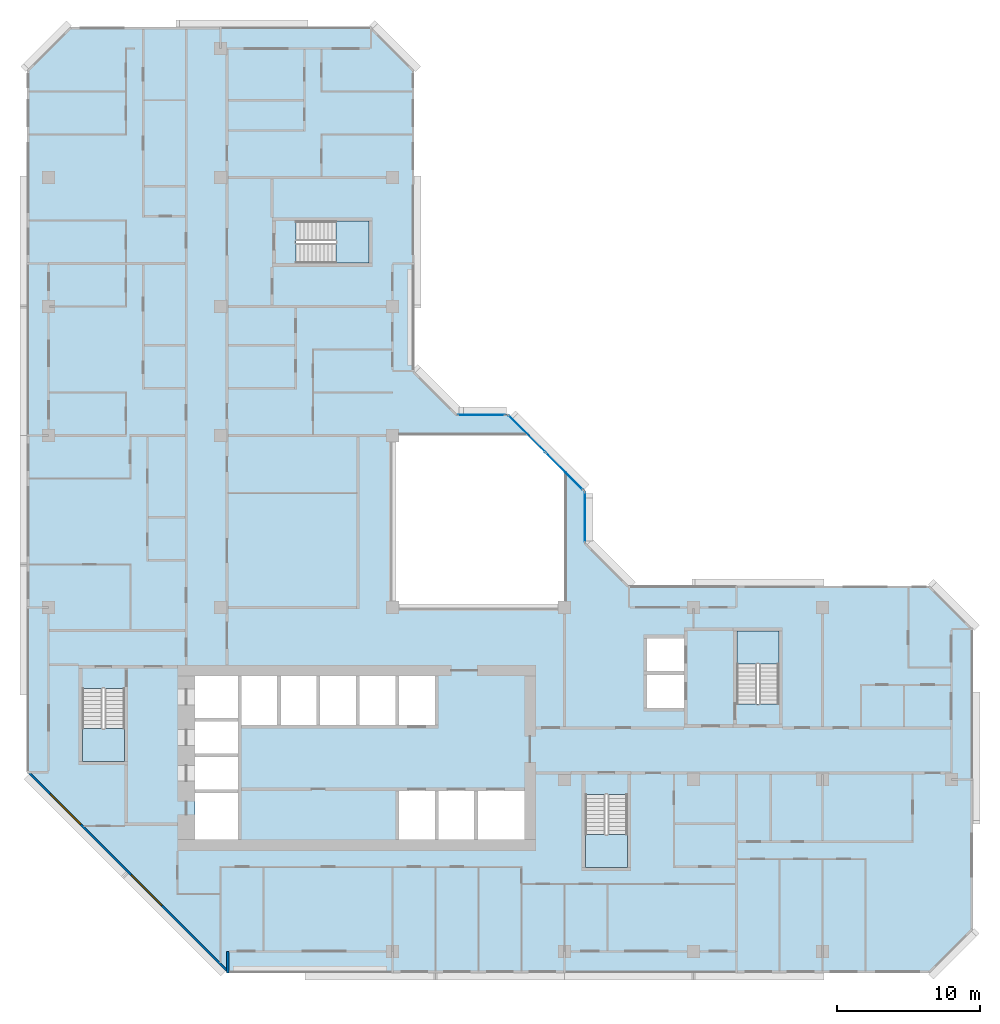
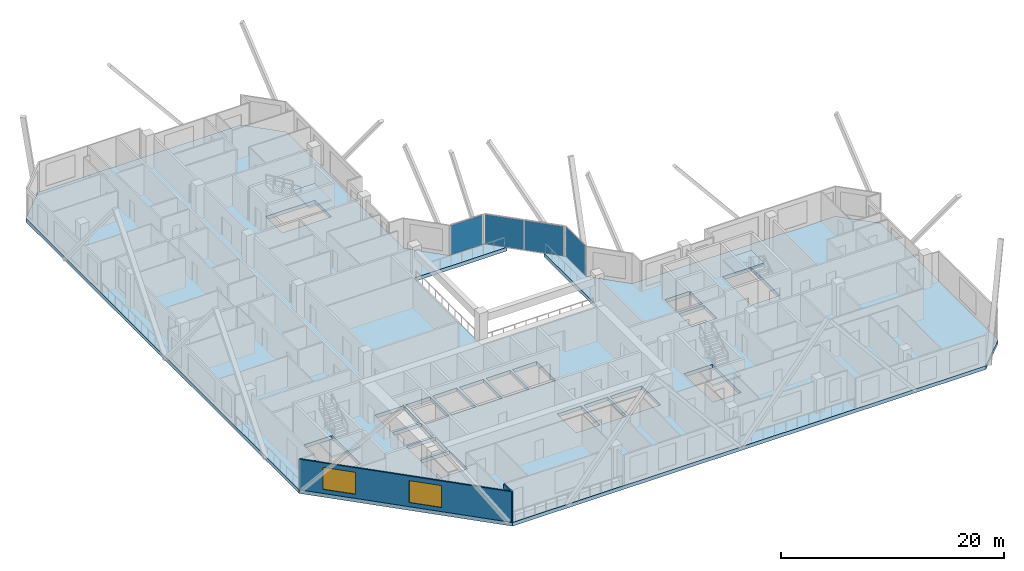
# One storey, part 3 of 15: 5 slabs, 4 plates, 2 walls, 2 windows, 2 openings, 7 elements without a shape of their own.
"""IFC4 building model written with IfcOpenShell, lengths in metres."""

import ifcopenshell
import ifcopenshell.guid

model = None  # the IFC model being written
_history = None  # IfcOwnerHistory: only IFC2X3 demands one
_inside = {}  # id of a spatial element -> (the spatial element, [elements in it])
_under = {}  # id of a project, library or spatial element -> (it, [spatial elements below it])
_declared = {}  # id of a project -> (the project, [libraries it declares])
_typed = {}  # id of a type object -> (the type object, [elements of that type])
_made_of = {}  # id of a material, layer set ... -> (it, [elements and type objects made of it])


def new_model(schema):
    """Start an empty IFC model of exactly this schema.

    Asked for "IFC4X3", IfcOpenShell would pick the latest addendum, in which some entities
    have other attributes; the version numbers below select the first issue.
    IFC2X3 requires an IfcOwnerHistory on every rooted entity: one is made here for all.
    """
    global model, _history
    if schema == "IFC4X3":
        model = ifcopenshell.file(schema_version=(4, 3, 0, 0))
    else:
        model = ifcopenshell.file(schema=schema)
    _inside.clear()
    _under.clear()
    _declared.clear()
    _typed.clear()
    _made_of.clear()
    _history = None
    if model.schema == "IFC2X3":
        org = make("IfcOrganization", Name="unknown")
        user = make(
            "IfcPersonAndOrganization",
            ThePerson=make("IfcPerson", FamilyName="unknown"),
            TheOrganization=org,
        )
        app = make(
            "IfcApplication",
            ApplicationDeveloper=org,
            Version="unknown",
            ApplicationFullName="unknown",
            ApplicationIdentifier="unknown",
        )
        _history = make(
            "IfcOwnerHistory",
            OwningUser=user,
            OwningApplication=app,
            ChangeAction="ADDED",
            CreationDate=0,
        )
    return model


def make(cls, **values):
    """One entity of the class cls with the attributes given. An attribute that is None is left unset."""
    return model.create_entity(
        cls, **{name: value for name, value in values.items() if value is not None}
    )


def rooted(cls, **values):
    """An entity with a GlobalId (a new one), such as an element, a storey or a relation."""
    return make(cls, GlobalId=ifcopenshell.guid.new(), OwnerHistory=_history, **values)


def si_unit(unit_type, name, prefix=None):
    """IfcSIUnit, for example si_unit("LENGTHUNIT", "METRE", prefix="MILLI")."""
    return make("IfcSIUnit", UnitType=unit_type, Prefix=prefix, Name=name)


def assignment(units):
    """IfcUnitAssignment: the units of a project."""
    return None if units is None else make("IfcUnitAssignment", Units=units)


def point(xyz):
    """IfcCartesianPoint."""
    return None if xyz is None else make("IfcCartesianPoint", Coordinates=xyz)


def direction(xyz):
    """IfcDirection."""
    return None if xyz is None else make("IfcDirection", DirectionRatios=xyz)


def frame(location, z_axis=None, x_axis=None):
    """IfcAxis2Placement3D, a coordinate frame: its origin and axes. An axis left out is left unset."""
    return make(
        "IfcAxis2Placement3D",
        Location=point(location),
        Axis=direction(z_axis),
        RefDirection=direction(x_axis),
    )


def frame_2d(location, x_axis=None):
    """IfcAxis2Placement2D, a coordinate frame in the plane: its origin and x axis."""
    return make(
        "IfcAxis2Placement2D", Location=point(location), RefDirection=direction(x_axis)
    )


def origin():
    """The frame at (0, 0, 0) with its axes left unset."""
    return frame((0.0, 0.0, 0.0))


def origin_2d():
    """The frame at (0, 0) in the plane with its x axis left unset."""
    return frame_2d((0.0, 0.0))


def place(relative_to, where):
    """IfcLocalPlacement: puts the frame where relative to a parent placement (None: the world)."""
    return make(
        "IfcLocalPlacement", PlacementRelTo=relative_to, RelativePlacement=where
    )


def context(
    kind, dimensions, precision=None, world=None, true_north=None, identifier=None
):
    """IfcGeometricRepresentationContext, for example the 3D "Model" context."""
    return make(
        "IfcGeometricRepresentationContext",
        ContextIdentifier=identifier,
        ContextType=kind,
        CoordinateSpaceDimension=dimensions,
        Precision=precision,
        WorldCoordinateSystem=world,
        TrueNorth=true_north,
    )


def subcontext(parent, identifier, kind, view, scale=None):
    """IfcGeometricRepresentationSubContext, for example "Body" below "Model"."""
    return make(
        "IfcGeometricRepresentationSubContext",
        ContextIdentifier=identifier,
        ContextType=kind,
        ParentContext=parent,
        TargetScale=scale,
        TargetView=view,
    )


def project(units=None, contexts=None):
    """IfcProject with its units and contexts."""
    return rooted(
        "IfcProject",
        Name="project",
        RepresentationContexts=contexts,
        UnitsInContext=assignment(units),
    )


def spatial(cls, under=None, at=None, **own):
    """A site, building, storey or space (cls), placed at a placement, below another one or the project."""
    s = rooted(cls, ObjectPlacement=at, **own)
    if under is not None:
        _under.setdefault(under.id(), (under, []))[1].append(s)
    return s


def polyline(points):
    """IfcPolyline through the points."""
    return make("IfcPolyline", Points=[point(p) for p in points])


def profile(cls, at=None, kind="AREA", **sizes):
    """A parametric profile (cls). Its sizes go by their IFC names, for example OverallWidth=200.0."""
    return make(cls, ProfileType=kind, Position=at, **sizes)


def rectangle(**sizes):
    """IfcRectangleProfileDef."""
    return profile("IfcRectangleProfileDef", **sizes)


def outline(outer, holes=None, kind="AREA"):
    """IfcArbitraryClosedProfileDef: a profile drawn as a closed curve; with holes, ...WithVoids."""
    if holes is None:
        return make("IfcArbitraryClosedProfileDef", ProfileType=kind, OuterCurve=outer)
    return make(
        "IfcArbitraryProfileDefWithVoids",
        ProfileType=kind,
        OuterCurve=outer,
        InnerCurves=holes,
    )


def extrude(swept, where, along, depth):
    """IfcExtrudedAreaSolid: the profile swept, set in the frame where, extruded along a direction by depth."""
    return make(
        "IfcExtrudedAreaSolid",
        SweptArea=swept,
        Position=where,
        ExtrudedDirection=direction(along),
        Depth=depth,
    )


def shape(context_of_items, identifier, shape_type, items):
    """IfcShapeRepresentation: the items that make up one representation, for example the "Body"."""
    return make(
        "IfcShapeRepresentation",
        ContextOfItems=context_of_items,
        RepresentationIdentifier=identifier,
        RepresentationType=shape_type,
        Items=items,
    )


def material(Name=None, Category=None):
    """IfcMaterial."""
    return make("IfcMaterial", Name=Name, Category=Category)


def layer(
    of_material, thickness, ventilated=None, Name=None, Category=None, Priority=None
):
    """IfcMaterialLayer: one layer of a wall or slab, of a material (None: an air gap)."""
    return make(
        "IfcMaterialLayer",
        Material=of_material,
        LayerThickness=thickness,
        IsVentilated=ventilated,
        Name=Name,
        Category=Category,
        Priority=Priority,
    )


def layer_set(layers, Name=None):
    """IfcMaterialLayerSet."""
    return make("IfcMaterialLayerSet", MaterialLayers=layers, LayerSetName=Name)


def made_of(thing, what):
    """Note that an element or type object is made of a material, layer set ...; save() writes the relation."""
    if what is not None:
        _made_of.setdefault(what.id(), (what, []))[1].append(thing)
    return thing


def type_object(cls, material=None, **own):
    """A type object (cls), such as IfcWallType, which elements share."""
    return made_of(rooted(cls, **own), material)


def element(
    cls,
    number,
    at=None,
    inside=None,
    cuts=None,
    type_object=None,
    material=None,
    context=None,
    identifier="Body",
    shape_type=None,
    held_by="IfcProductDefinitionShape",
    body=None,
    shapes=None,
    **own,
):
    """One element of the class cls, such as IfcWall. Its Tag is "e" and its number.

    at: its placement. inside: the storey or other place that contains it. cuts: it is an
    opening in that element (IfcRelVoidsElement). A single representation is given by context,
    identifier, shape_type and body (its items); several are given by shapes. held_by: the class
    of the entity that holds the representations. save() writes the other relations.
    """
    e = rooted(cls, Tag="e%d" % number, ObjectPlacement=at, **own)
    if body is not None:
        shapes = [shape(context, identifier, shape_type, body)]
    if shapes is not None:
        e.Representation = make(held_by, Representations=shapes)
    if inside is not None:
        _inside.setdefault(inside.id(), (inside, []))[1].append(e)
    if cuts is not None:
        rooted(
            "IfcRelVoidsElement", RelatingBuildingElement=cuts, RelatedOpeningElement=e
        )
    if type_object is not None:
        _typed.setdefault(type_object.id(), (type_object, []))[1].append(e)
    return made_of(e, material)


def fill(opening, filler):
    """IfcRelFillsElement: the door or window that sits in an opening."""
    return rooted(
        "IfcRelFillsElement",
        RelatingOpeningElement=opening,
        RelatedBuildingElement=filler,
    )


def aggregate(whole, parts):
    """IfcRelAggregates: a whole, such as a stair, and the parts it consists of."""
    return rooted("IfcRelAggregates", RelatingObject=whole, RelatedObjects=parts)


def save(model, path):
    """Write the relations noted so far, then the file.

    IfcRelAggregates (storeys below a building ...), IfcRelContainedInSpatialStructure (elements
    in a storey), IfcRelDefinesByType, IfcRelAssociatesMaterial and IfcRelDeclares: one each for
    every whole, place, type object, material and project.
    """
    for whole, parts in _under.values():
        aggregate(whole, parts)
    for where, things in _inside.values():
        rooted(
            "IfcRelContainedInSpatialStructure",
            RelatedElements=things,
            RelatingStructure=where,
        )
    for kind, things in _typed.values():
        rooted("IfcRelDefinesByType", RelatedObjects=things, RelatingType=kind)
    for what, things in _made_of.values():
        rooted("IfcRelAssociatesMaterial", RelatedObjects=things, RelatingMaterial=what)
    for by, libraries in _declared.values():
        rooted("IfcRelDeclares", RelatingContext=by, RelatedDefinitions=libraries)
    model.write(path)


model = new_model("IFC4")

# Units and contexts
model_context = context("Model", 3, precision=1e-05, world=origin(), true_north=direction((0.0, 1.0)))
body_context = subcontext(model_context, "Body", "Model", "MODEL_VIEW")
ifc_project = project(units=[si_unit("LENGTHUNIT", "METRE"), si_unit("AREAUNIT", "SQUARE_METRE"), si_unit("VOLUMEUNIT", "CUBIC_METRE"), si_unit("PLANEANGLEUNIT", "RADIAN"), si_unit("MASSUNIT", "GRAM", prefix="KILO")], contexts=[model_context])

# Site, building, storey
site_placement = place(None, origin())
site = spatial("IfcSite", under=ifc_project, at=site_placement, CompositionType="ELEMENT")
building_placement = place(site_placement, origin())
building = spatial("IfcBuilding", under=site, at=building_placement, Name="Chenar Terraces", CompositionType="ELEMENT")
storey_placement = place(building_placement, frame((0.0, 0.0, 194.89990234375)))
storey = spatial("IfcBuildingStorey", under=building, at=storey_placement, Name="L45", CompositionType="ELEMENT", Elevation=194.89990234375)

# Curtain wall, plate
ifc_material_1 = material(Name="Aluminium framed glazing", Category="aluminium")
ifc_layer_1 = layer(ifc_material_1, 0.14990234375)
ifc_layer_set_1 = layer_set([ifc_layer_1], Name="Aluminium framed glazing")
curtain_wall_type = type_object("IfcCurtainWallType", Name="Atrium mid-zone curtain wall", PredefinedType="NOTDEFINED", material=ifc_layer_set_1)
placement_1 = place(storey_placement, origin())
curtain_wall_1 = element("IfcCurtainWall", 1, at=placement_1, inside=storey, type_object=curtain_wall_type, Name="Atrium mid-zone curtain wall", PredefinedType="NOTDEFINED")
ifc_material_2 = material(Name="Low emissivity laminated glass, solar control coating", Category="glass")
ifc_layer_2 = layer(ifc_material_2, 0.031982421875)
ifc_layer_set_2 = layer_set([ifc_layer_2], Name="Low emissivity laminated glass, solar control coating")
plate_type = type_object("IfcPlateType", Name="Atrium mid-zone glazing panel 32", PredefinedType="CURTAIN_PANEL", material=ifc_layer_set_2)
plate_1_placement = place(storey_placement, frame((37.425048828125, 30.300048828125, 0.070068359375), z_axis=(0.0, 0.0, 1.0), x_axis=(0.0, 1.0, 0.0)))
plate_1 = element("IfcPlate", 2, at=plate_1_placement, type_object=plate_type, Name="CW7-1 panel 1.1", PredefinedType="CURTAIN_PANEL", context=body_context, shape_type="SweptSolid", body=[
    extrude(rectangle(XDim=3.4599609375, YDim=0.031982421875, at=origin_2d()), origin(), (0.0, 0.0, 1.0), 3.2099609375),
])
aggregate(curtain_wall_1, [plate_1])

# Curtain wall, plates
curtain_wall_2 = element("IfcCurtainWall", 3, at=placement_1, inside=storey, type_object=curtain_wall_type, Name="Atrium mid-zone curtain wall", PredefinedType="NOTDEFINED")
plate_2_placement = place(storey_placement, frame((35.978515625, 33.515380859375, 0.070068359375), z_axis=(0.0, 0.0, 1.0), x_axis=(-0.707106781187, 0.707106781187, 0.0)))
plate_2 = element("IfcPlate", 4, at=plate_2_placement, type_object=plate_type, Name="CW7-2 panel 1.1", PredefinedType="CURTAIN_PANEL", context=body_context, shape_type="SweptSolid", body=[
    extrude(rectangle(XDim=3.61328125, YDim=0.031982421875, at=origin_2d()), origin(), (0.0, 0.0, 1.0), 3.2099609375),
])
plate_3_placement = place(storey_placement, frame((33.3740234375, 36.119873046875, 0.070068359375), z_axis=(0.0, 0.0, 1.0), x_axis=(-0.707106781187, 0.707106781187, 0.0)))
plate_3 = element("IfcPlate", 5, at=plate_3_placement, type_object=plate_type, Name="CW7-2 panel 2.1", PredefinedType="CURTAIN_PANEL", context=body_context, shape_type="SweptSolid", body=[
    extrude(rectangle(XDim=3.61328125, YDim=0.031982421875, at=origin_2d()), origin(), (0.0, 0.0, 1.0), 3.2099609375),
])
aggregate(curtain_wall_2, [plate_2, plate_3])

# Curtain wall, plate
curtain_wall_3 = element("IfcCurtainWall", 6, at=placement_1, inside=storey, type_object=curtain_wall_type, Name="Atrium mid-zone curtain wall", PredefinedType="NOTDEFINED")
plate_4_placement = place(storey_placement, frame((30.199951171875, 37.425048828125, 0.070068359375), z_axis=(0.0, 0.0, 1.0), x_axis=(-1.0, 0.0, 0.0)))
plate_4 = element("IfcPlate", 7, at=plate_4_placement, type_object=plate_type, Name="CW7-3 panel 1.1", PredefinedType="CURTAIN_PANEL", context=body_context, shape_type="SweptSolid", body=[
    extrude(rectangle(XDim=3.260009765625, YDim=0.031982421875, at=origin_2d()), origin(), (0.0, 0.0, 1.0), 3.2099609375),
])
aggregate(curtain_wall_3, [plate_4])

# Stair, slab
ifc_material_3 = material(Name="Reinforced concrete C40/50", Category="concrete")
stair_type = type_object("IfcStairType", Name="Core stair 1400 half-turn", PredefinedType="HALF_TURN_STAIR", material=ifc_material_3)
stair_1 = element("IfcStair", 8, at=placement_1, inside=storey, type_object=stair_type, Name="L45 Stair 1", PredefinedType="HALF_TURN_STAIR")
ifc_material_4 = material(Name="Reinforced concrete C40/50", Category="concrete")
ifc_layer_3 = layer(ifc_material_4, 0.199951171875)
ifc_layer_set_3 = layer_set([ifc_layer_3], Name="Reinforced concrete C40/50")
slab_type_1 = type_object("IfcSlabType", Name="Core stair landing 200", PredefinedType="LANDING", material=ifc_layer_set_3)
placement_2 = place(storey_placement, frame((0.0, 0.0, 1.675048828125)))
slab_1 = element("IfcSlab", 9, at=placement_2, type_object=slab_type_1, Name="ST1 landing 1", PredefinedType="LANDING", context=body_context, shape_type="SweptSolid", body=[
    extrude(outline(polyline([(2.35009765625, 15.550048828125), (2.35009765625, 13.25), (5.300048828125, 13.25), (5.300048828125, 15.550048828125), (2.35009765625, 15.550048828125)])), origin(), (0.0, 0.0, 1.0), 0.199951171875),
])
aggregate(stair_1, [slab_1])

stair_2 = element("IfcStair", 10, at=placement_1, inside=storey, type_object=stair_type, Name="L45 Stair 2", PredefinedType="HALF_TURN_STAIR")
slab_2 = element("IfcSlab", 11, at=placement_2, type_object=slab_type_1, Name="ST2 landing 1", PredefinedType="LANDING", context=body_context, shape_type="SweptSolid", body=[
    extrude(outline(polyline([(37.449951171875, 8.14990234375), (37.449951171875, 5.85009765625), (40.39990234375, 5.85009765625), (40.39990234375, 8.14990234375), (37.449951171875, 8.14990234375)])), origin(), (0.0, 0.0, 1.0), 0.199951171875),
])
aggregate(stair_2, [slab_2])

stair_3 = element("IfcStair", 12, at=placement_1, inside=storey, type_object=stair_type, Name="L45 Stair 3", PredefinedType="HALF_TURN_STAIR")
slab_3 = element("IfcSlab", 13, at=placement_2, type_object=slab_type_1, Name="ST3 landing 1", PredefinedType="LANDING", context=body_context, shape_type="SweptSolid", body=[
    extrude(outline(polyline([(50.97509765625, 20.050048828125), (50.97509765625, 22.35009765625), (48.02490234375, 22.35009765625), (48.02490234375, 20.050048828125), (50.97509765625, 20.050048828125)])), origin(), (0.0, 0.0, 1.0), 0.199951171875),
])
aggregate(stair_3, [slab_3])

stair_4 = element("IfcStair", 14, at=placement_1, inside=storey, type_object=stair_type, Name="L45 Stair 4", PredefinedType="HALF_TURN_STAIR")
slab_4 = element("IfcSlab", 15, at=placement_2, type_object=slab_type_1, Name="ST4 landing 1", PredefinedType="LANDING", context=body_context, shape_type="SweptSolid", body=[
    extrude(outline(polyline([(20.050048828125, 48.02490234375), (22.35009765625, 48.02490234375), (22.35009765625, 50.97509765625), (20.050048828125, 50.97509765625), (20.050048828125, 48.02490234375)])), origin(), (0.0, 0.0, 1.0), 0.199951171875),
])
aggregate(stair_4, [slab_4])

# Slab
ifc_material_5 = material(Name="Concrete C40/50", Category="concrete")
ifc_layer_4 = layer(ifc_material_5, 0.39990234375)
ifc_layer_set_4 = layer_set([ifc_layer_4], Name="Concrete C40/50")
slab_type_2 = type_object("IfcSlabType", Name="Floor slab 400 Concrete C40/50", PredefinedType="FLOOR", material=ifc_layer_set_4)
slab_5_placement = place(storey_placement, frame((0.0, 0.0, -0.39990234375)))
element("IfcSlab", 16, at=slab_5_placement, inside=storey, type_object=slab_type_2, Name="Floor slab L45", PredefinedType="FLOOR", context=body_context, shape_type="SweptSolid", body=[
    extrude(outline(polyline([(64.5, 22.5), (64.5, 1.5), (61.5, -1.5), (12.5, -1.5), (-1.5, 12.5), (-1.5, 61.5), (1.5, 64.5), (22.5, 64.5), (25.5, 61.5), (25.5, 40.5), (28.5, 37.5), (32.10009765625, 37.5), (33.60009765625, 36.0), (24.0, 36.0), (24.0, 24.0), (36.0, 24.0), (36.0, 33.60009765625), (37.5, 32.10009765625), (37.5, 28.5), (40.5, 25.5), (61.5, 25.5), (64.5, 22.5)]), holes=[polyline([(13.199951171875, 11.050048828125), (10.199951171875, 11.050048828125), (10.199951171875, 7.800048828125), (13.199951171875, 7.800048828125), (13.199951171875, 11.050048828125)]), polyline([(13.199951171875, 13.550048828125), (10.199951171875, 13.550048828125), (10.199951171875, 11.300048828125), (13.199951171875, 11.300048828125), (13.199951171875, 13.550048828125)]), polyline([(13.199951171875, 16.050048828125), (10.199951171875, 16.050048828125), (10.199951171875, 13.800048828125), (13.199951171875, 13.800048828125), (13.199951171875, 16.050048828125)]), polyline([(2.35009765625, 13.25), (5.300048828125, 13.25), (5.300048828125, 18.35009765625), (2.35009765625, 18.35009765625), (2.35009765625, 13.25)]), polyline([(15.949951171875, 19.199951171875), (13.449951171875, 19.199951171875), (13.449951171875, 15.800048828125), (15.949951171875, 15.800048828125), (15.949951171875, 19.199951171875)]), polyline([(18.699951171875, 19.199951171875), (16.199951171875, 19.199951171875), (16.199951171875, 15.800048828125), (18.699951171875, 15.800048828125), (18.699951171875, 19.199951171875)]), polyline([(21.449951171875, 19.199951171875), (18.949951171875, 19.199951171875), (18.949951171875, 15.800048828125), (21.449951171875, 15.800048828125), (21.449951171875, 19.199951171875)]), polyline([(24.199951171875, 15.800048828125), (24.199951171875, 19.199951171875), (21.699951171875, 19.199951171875), (21.699951171875, 15.800048828125), (24.199951171875, 15.800048828125)]), polyline([(13.199951171875, 16.300048828125), (13.199951171875, 19.199951171875), (10.199951171875, 19.199951171875), (10.199951171875, 16.300048828125), (13.199951171875, 16.300048828125)]), polyline([(22.35009765625, 48.02490234375), (22.35009765625, 50.97509765625), (17.25, 50.97509765625), (17.25, 48.02490234375), (22.35009765625, 48.02490234375)]), polyline([(37.449951171875, 5.85009765625), (40.39990234375, 5.85009765625), (40.39990234375, 10.949951171875), (37.449951171875, 10.949951171875), (37.449951171875, 5.85009765625)]), polyline([(26.949951171875, 11.199951171875), (24.449951171875, 11.199951171875), (24.449951171875, 7.800048828125), (26.949951171875, 7.800048828125), (26.949951171875, 11.199951171875)]), polyline([(29.699951171875, 7.800048828125), (29.699951171875, 11.199951171875), (27.199951171875, 11.199951171875), (27.199951171875, 7.800048828125), (29.699951171875, 7.800048828125)]), polyline([(33.199951171875, 7.800048828125), (33.199951171875, 11.199951171875), (29.949951171875, 11.199951171875), (29.949951171875, 7.800048828125), (33.199951171875, 7.800048828125)]), polyline([(26.949951171875, 19.199951171875), (24.449951171875, 19.199951171875), (24.449951171875, 15.800048828125), (26.949951171875, 15.800048828125), (26.949951171875, 19.199951171875)]), polyline([(44.35009765625, 19.300048828125), (41.75, 19.300048828125), (41.75, 17.0), (44.35009765625, 17.0), (44.35009765625, 19.300048828125)]), polyline([(50.97509765625, 22.35009765625), (48.02490234375, 22.35009765625), (48.02490234375, 17.25), (50.97509765625, 17.25), (50.97509765625, 22.35009765625)]), polyline([(44.35009765625, 19.550048828125), (44.35009765625, 21.85009765625), (41.75, 21.85009765625), (41.75, 19.550048828125), (44.35009765625, 19.550048828125)])]), origin(), (0.0, 0.0, 1.0), 0.39990234375),
])

# Wall
ifc_material_6 = material(Name="Terracotta cladding on insulated backing", Category="masonry")
ifc_layer_5 = layer(ifc_material_6, 0.14990234375)
ifc_layer_set_5 = layer_set([ifc_layer_5], Name="Terracotta cladding on insulated backing")
wall_type_1 = type_object("IfcWallType", Name="Loggia return wall 150", PredefinedType="SOLIDWALL", material=ifc_layer_set_5)
wall_1_placement = place(storey_placement, frame((12.5, -1.5, 0.0), z_axis=(0.0, 0.0, 1.0), x_axis=(0.0, 1.0, 0.0)))
element("IfcWall", 17, at=wall_1_placement, inside=storey, type_object=wall_type_1, Name="Loggia return wall", PredefinedType="SOLIDWALL", context=body_context, shape_type="SweptSolid", body=[
    extrude(rectangle(XDim=1.5, YDim=0.14990234375, at=frame_2d((0.75, 0.0))), origin(), (0.0, 0.0, 1.0), 3.35009765625),
])

# Wall, openings, windows
ifc_material_7 = material(Name="Terracotta cladding on insulated backing", Category="masonry")
ifc_layer_6 = layer(ifc_material_7, 0.14990234375)
ifc_layer_set_6 = layer_set([ifc_layer_6], Name="Terracotta cladding on insulated backing")
wall_type_2 = type_object("IfcWallType", Name="Terracotta rainscreen wall 150", PredefinedType="SOLIDWALL", material=ifc_layer_set_6)
wall_2_placement = place(storey_placement, frame((-1.447021484375, 12.552978515625, 0.0), z_axis=(0.0, 0.0, 1.0), x_axis=(0.707106781187, -0.707106781187, 0.0)))
wall_2 = element("IfcWall", 18, at=wall_2_placement, inside=storey, type_object=wall_type_2, Name="Terracotta rainscreen wall", PredefinedType="SOLIDWALL", context=body_context, shape_type="SweptSolid", body=[
    extrude(rectangle(XDim=19.799072265625, YDim=0.14990234375, at=frame_2d((9.8994140625, 0.0))), origin(), (0.0, 0.0, 1.0), 3.35009765625),
])
opening_1_placement = place(wall_2_placement, frame((2.21240234375, 0.0, 0.449951171875)))
opening_1 = element("IfcOpeningElement", 19, at=opening_1_placement, cuts=wall_2, Name="Opening W300x240", PredefinedType="OPENING", context=body_context, shape_type="SweptSolid", body=[
    extrude(rectangle(XDim=3.0, YDim=2.39990234375, at=frame_2d((1.5, 1.199951171875))), frame((0.0, 0.0849609375, 0.0), z_axis=(0.0, -1.0, 0.0), x_axis=(1.0, 0.0, 0.0)), (0.0, 0.0, 1.0), 0.169921875),
])
opening_2_placement = place(wall_2_placement, frame((10.215576171875, 0.0, 0.449951171875)))
opening_2 = element("IfcOpeningElement", 20, at=opening_2_placement, cuts=wall_2, Name="Opening W300x240", PredefinedType="OPENING", context=body_context, shape_type="SweptSolid", body=[
    extrude(rectangle(XDim=3.0, YDim=2.39990234375, at=frame_2d((1.5, 1.199951171875))), frame((0.0, 0.0849609375, 0.0), z_axis=(0.0, -1.0, 0.0), x_axis=(1.0, 0.0, 0.0)), (0.0, 0.0, 1.0), 0.169921875),
])
ifc_material_8 = material(Name="Low emissivity double glazing, aluminium frame", Category="aluminium")
window_type = type_object("IfcWindowType", Name="Fixed light 3000 x 2400", PartitioningType="SINGLE_PANEL", PredefinedType="WINDOW", material=ifc_material_8)
window_1_placement = place(opening_1_placement, origin())
window_1 = element("IfcWindow", 21, at=window_1_placement, inside=storey, type_object=window_type, Name="Window", OverallHeight=2.39990234375, OverallWidth=3.0, PartitioningType="SINGLE_PANEL", PredefinedType="WINDOW", context=body_context, shape_type="SweptSolid", body=[
    extrude(rectangle(XDim=3.0, YDim=2.39990234375, at=frame_2d((1.5, 1.199951171875))), frame((0.0, 0.030029296875, 0.0), z_axis=(0.0, -1.0, 0.0), x_axis=(1.0, 0.0, 0.0)), (0.0, 0.0, 1.0), 0.06005859375),
])
fill(opening_1, window_1)
window_2_placement = place(opening_2_placement, origin())
window_2 = element("IfcWindow", 22, at=window_2_placement, inside=storey, type_object=window_type, Name="Window", OverallHeight=2.39990234375, OverallWidth=3.0, PartitioningType="SINGLE_PANEL", PredefinedType="WINDOW", context=body_context, shape_type="SweptSolid", body=[
    extrude(rectangle(XDim=3.0, YDim=2.39990234375, at=frame_2d((1.5, 1.199951171875))), frame((0.0, 0.030029296875, 0.0), z_axis=(0.0, -1.0, 0.0), x_axis=(1.0, 0.0, 0.0)), (0.0, 0.0, 1.0), 0.06005859375),
])
fill(opening_2, window_2)

save(model, "model.ifc")
